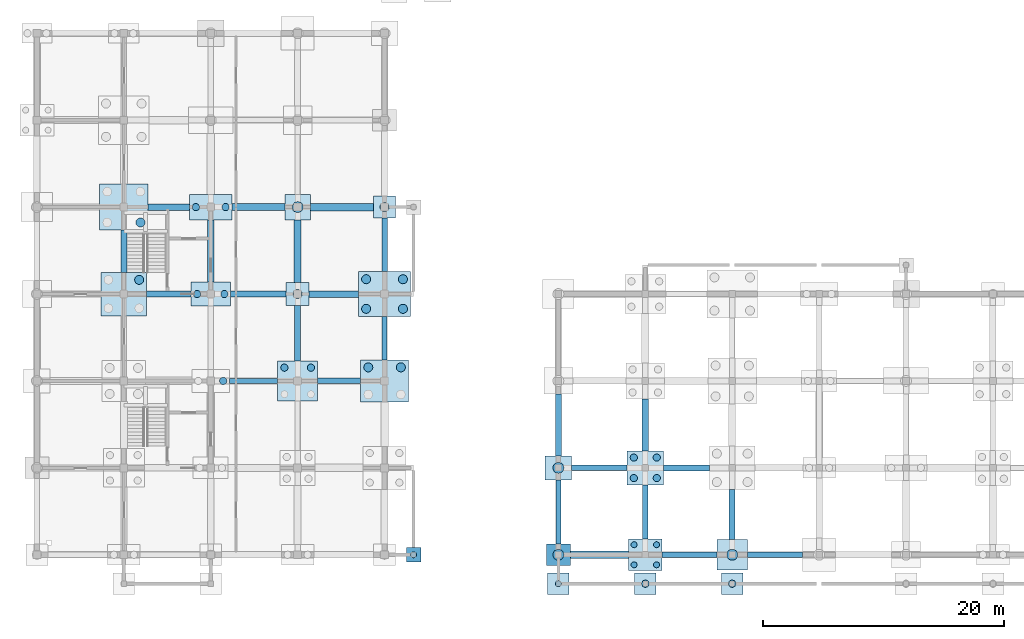
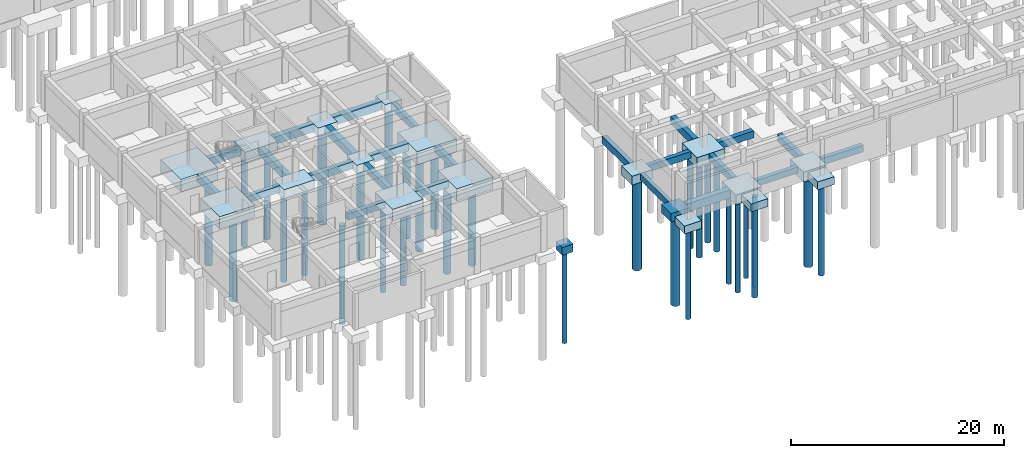
# One storey, part 2 of 38: 43 footings, 33 piles.
"""IFC4 building model written with IfcOpenShell, lengths in metres."""

from ifc_helpers import new_model, si_unit, direction, frame, origin, origin_2d, place, context, subcontext, project, spatial, polyline, rectangle, circle, outline, extrude, material, material_profile, profile_set, type_object, element, save


model = new_model("IFC4")

# Units and contexts
model_context = context("Model", 3, precision=1e-05, world=origin(), true_north=direction((0.0, 1.0)))
body_context = subcontext(model_context, "Body", "Model", "MODEL_VIEW")
ifc_project = project(units=[si_unit("LENGTHUNIT", "METRE"), si_unit("AREAUNIT", "SQUARE_METRE"), si_unit("VOLUMEUNIT", "CUBIC_METRE"), si_unit("PLANEANGLEUNIT", "RADIAN"), si_unit("MASSUNIT", "GRAM", prefix="KILO"), si_unit("THERMODYNAMICTEMPERATUREUNIT", "KELVIN"), si_unit("POWERUNIT", "WATT")], contexts=[model_context])

# Site, building, storey
site_placement = place(None, origin())
site = spatial("IfcSite", under=ifc_project, at=site_placement, CompositionType="ELEMENT")
building_placement = place(site_placement, origin())
building = spatial("IfcBuilding", under=site, at=building_placement, Name="Tavuni Mirador Residences", CompositionType="ELEMENT")
storey_placement = place(building_placement, frame((0.0, 0.0, -4.199951171875)))
storey = spatial("IfcBuildingStorey", under=building, at=storey_placement, Name="B1", CompositionType="ELEMENT", Elevation=-4.199951171875)

# Footings
ifc_material = material(Name="In-situ concrete C35/45", Category="concrete")
footing_type_1 = type_object("IfcFootingType", Name="FT-GB01", PredefinedType="FOOTING_BEAM", material=ifc_material)
footing_1_placement = place(storey_placement, frame((0.0, 0.0, -0.719970703125)))
element("IfcFooting", 1, at=footing_1_placement, inside=storey, type_object=footing_type_1, Name="GBX-BLK-A-02-02", PredefinedType="FOOTING_BEAM", context=body_context, shape_type="SweptSolid", body=[
    extrude(outline(polyline([(19.550048828125, 21.389892578125), (23.550048828125, 21.389892578125), (23.550048828125, 21.81005859375), (19.550048828125, 21.81005859375), (19.550048828125, 21.389892578125)])), origin(), (0.0, 0.0, 1.0), 0.719970703125),
])
footing_2_placement = place(storey_placement, frame((0.0, 0.0, -0.719970703125)))
element("IfcFooting", 2, at=footing_2_placement, inside=storey, type_object=footing_type_1, Name="GBY-BLK-A-04-02", PredefinedType="FOOTING_BEAM", context=body_context, shape_type="SweptSolid", body=[
    extrude(outline(polyline([(32.18994140625, 23.35009765625), (32.610107421875, 23.35009765625), (32.610107421875, 26.949951171875), (32.18994140625, 26.949951171875), (32.18994140625, 23.35009765625)])), origin(), (0.0, 0.0, 1.0), 0.719970703125),
])
footing_3_placement = place(storey_placement, frame((0.0, 0.0, -0.719970703125)))
element("IfcFooting", 3, at=footing_3_placement, inside=storey, type_object=footing_type_1, Name="GBY-PAV-SHOP-00-00", PredefinedType="FOOTING_BEAM", context=body_context, shape_type="SweptSolid", body=[
    extrude(outline(polyline([(46.590087890625, 8.10009765625), (47.010009765625, 8.10009765625), (47.010009765625, 13.39990234375), (46.590087890625, 13.39990234375), (46.590087890625, 8.10009765625)])), origin(), (0.0, 0.0, 1.0), 0.719970703125),
])
footing_4_placement = place(storey_placement, frame((0.0, 0.0, -0.719970703125)))
element("IfcFooting", 4, at=footing_4_placement, inside=storey, type_object=footing_type_1, Name="GBX-PAV-SHOP-01-00", PredefinedType="FOOTING_BEAM", context=body_context, shape_type="SweptSolid", body=[
    extrude(outline(polyline([(55.39990234375, 6.989990234375), (59.949951171875, 6.989990234375), (59.949951171875, 7.409912109375), (55.39990234375, 7.409912109375), (55.39990234375, 6.989990234375)])), origin(), (0.0, 0.0, 1.0), 0.719970703125),
])
footing_type_2 = type_object("IfcFootingType", Name="FT-GB02", PredefinedType="FOOTING_BEAM", material=ifc_material)
footing_5_placement = place(storey_placement, frame((0.0, 0.0, -0.760009765625)))
element("IfcFooting", 5, at=footing_5_placement, inside=storey, type_object=footing_type_2, Name="GBX-BLK-A-01-03", PredefinedType="FOOTING_BEAM", context=body_context, shape_type="SweptSolid", body=[
    extrude(outline(polyline([(12.699951171875, 28.570068359375), (16.35009765625, 28.570068359375), (16.35009765625, 29.030029296875), (12.699951171875, 29.030029296875), (12.699951171875, 28.570068359375)])), origin(), (0.0, 0.0, 1.0), 0.760009765625),
])
footing_6_placement = place(storey_placement, frame((0.0, 0.0, -0.760009765625)))
element("IfcFooting", 6, at=footing_6_placement, inside=storey, type_object=footing_type_2, Name="GBX-BLK-A-03-02", PredefinedType="FOOTING_BEAM", context=body_context, shape_type="SweptSolid", body=[
    extrude(outline(polyline([(26.85009765625, 21.3701171875), (30.425048828125, 21.3701171875), (30.425048828125, 21.830078125), (26.85009765625, 21.830078125), (26.85009765625, 21.3701171875)])), origin(), (0.0, 0.0, 1.0), 0.760009765625),
])
footing_7_placement = place(storey_placement, frame((0.0, 0.0, -0.760009765625)))
element("IfcFooting", 7, at=footing_7_placement, inside=storey, type_object=footing_type_2, Name="GBY-BLK-A-04-03", PredefinedType="FOOTING_BEAM", context=body_context, shape_type="SweptSolid", body=[
    extrude(outline(polyline([(32.169921875, 30.64990234375), (32.6298828125, 30.64990234375), (32.6298828125, 35.10009765625), (32.169921875, 35.10009765625), (32.169921875, 30.64990234375)])), origin(), (0.0, 0.0, 1.0), 0.760009765625),
])
footing_8_placement = place(storey_placement, frame((0.0, 0.0, -0.760009765625)))
element("IfcFooting", 8, at=footing_8_placement, inside=storey, type_object=footing_type_2, Name="GBX-PAV-SHOP-00-01", PredefinedType="FOOTING_BEAM", context=body_context, shape_type="SweptSolid", body=[
    extrude(outline(polyline([(47.89990234375, 14.169921875), (52.5, 14.169921875), (52.5, 14.6298828125), (47.89990234375, 14.6298828125), (47.89990234375, 14.169921875)])), origin(), (0.0, 0.0, 1.0), 0.760009765625),
])
footing_9_placement = place(storey_placement, frame((0.0, 0.0, -0.760009765625)))
element("IfcFooting", 9, at=footing_9_placement, inside=storey, type_object=footing_type_2, Name="GBY-PAV-SHOP-01-00", PredefinedType="FOOTING_BEAM", context=body_context, shape_type="SweptSolid", body=[
    extrude(outline(polyline([(53.77001953125, 8.5), (54.22998046875, 8.5), (54.22998046875, 13.0), (53.77001953125, 13.0), (53.77001953125, 8.5)])), origin(), (0.0, 0.0, 1.0), 0.760009765625),
])
footing_10_placement = place(storey_placement, frame((0.0, 0.0, -0.760009765625)))
element("IfcFooting", 10, at=footing_10_placement, inside=storey, type_object=footing_type_2, Name="GBX-PAV-SHOP-02-00", PredefinedType="FOOTING_BEAM", context=body_context, shape_type="SweptSolid", body=[
    extrude(outline(polyline([(62.449951171875, 6.969970703125), (67.02490234375, 6.969970703125), (67.02490234375, 7.429931640625), (62.449951171875, 7.429931640625), (62.449951171875, 6.969970703125)])), origin(), (0.0, 0.0, 1.0), 0.760009765625),
])
footing_type_3 = type_object("IfcFootingType", Name="FT-GB03", PredefinedType="FOOTING_BEAM", material=ifc_material)
footing_11_placement = place(storey_placement, frame((0.0, 0.0, -0.800048828125)))
element("IfcFooting", 11, at=footing_11_placement, inside=storey, type_object=footing_type_3, Name="GBY-BLK-A-01-03", PredefinedType="FOOTING_BEAM", context=body_context, shape_type="SweptSolid", body=[
    extrude(outline(polyline([(10.550048828125, 30.60009765625), (11.050048828125, 30.60009765625), (11.050048828125, 34.10009765625), (10.550048828125, 34.10009765625), (10.550048828125, 30.60009765625)])), origin(), (0.0, 0.0, 1.0), 0.800048828125),
])
footing_12_placement = place(storey_placement, frame((0.0, 0.0, -0.800048828125)))
element("IfcFooting", 12, at=footing_12_placement, inside=storey, type_object=footing_type_3, Name="GBX-BLK-A-02-03", PredefinedType="FOOTING_BEAM", context=body_context, shape_type="SweptSolid", body=[
    extrude(outline(polyline([(19.64990234375, 28.550048828125), (24.25, 28.550048828125), (24.25, 29.050048828125), (19.64990234375, 29.050048828125), (19.64990234375, 28.550048828125)])), origin(), (0.0, 0.0, 1.0), 0.800048828125),
])
footing_13_placement = place(storey_placement, frame((0.0, 0.0, -0.800048828125)))
element("IfcFooting", 13, at=footing_13_placement, inside=storey, type_object=footing_type_3, Name="GBY-BLK-A-03-02", PredefinedType="FOOTING_BEAM", context=body_context, shape_type="SweptSolid", body=[
    extrude(outline(polyline([(24.949951171875, 23.25), (25.449951171875, 23.25), (25.449951171875, 27.85009765625), (24.949951171875, 27.85009765625), (24.949951171875, 23.25)])), origin(), (0.0, 0.0, 1.0), 0.800048828125),
])
footing_14_placement = place(storey_placement, frame((0.0, 0.0, -0.800048828125)))
element("IfcFooting", 14, at=footing_14_placement, inside=storey, type_object=footing_type_3, Name="GBY-PAV-SHOP-00-01", PredefinedType="FOOTING_BEAM", context=body_context, shape_type="SweptSolid", body=[
    extrude(outline(polyline([(46.550048828125, 15.39990234375), (47.050048828125, 15.39990234375), (47.050048828125, 20.5), (46.550048828125, 20.5), (46.550048828125, 15.39990234375)])), origin(), (0.0, 0.0, 1.0), 0.800048828125),
])
footing_15_placement = place(storey_placement, frame((0.0, 0.0, -0.800048828125)))
element("IfcFooting", 15, at=footing_15_placement, inside=storey, type_object=footing_type_3, Name="GBX-PAV-SHOP-01-01", PredefinedType="FOOTING_BEAM", context=body_context, shape_type="SweptSolid", body=[
    extrude(outline(polyline([(55.5, 14.14990234375), (59.300048828125, 14.14990234375), (59.300048828125, 14.64990234375), (55.5, 14.64990234375), (55.5, 14.14990234375)])), origin(), (0.0, 0.0, 1.0), 0.800048828125),
])
footing_16_placement = place(storey_placement, frame((0.0, 0.0, -0.800048828125)))
element("IfcFooting", 16, at=footing_16_placement, inside=storey, type_object=footing_type_3, Name="GBY-PAV-SHOP-02-00", PredefinedType="FOOTING_BEAM", context=body_context, shape_type="SweptSolid", body=[
    extrude(outline(polyline([(60.949951171875, 8.449951171875), (61.449951171875, 8.449951171875), (61.449951171875, 12.60009765625), (60.949951171875, 12.60009765625), (60.949951171875, 8.449951171875)])), origin(), (0.0, 0.0, 1.0), 0.800048828125),
])
footing_type_4 = type_object("IfcFootingType", Name="FT-GB04", PredefinedType="FOOTING_BEAM", material=ifc_material)
footing_17_placement = place(storey_placement, frame((0.0, 0.0, -0.840087890625)))
element("IfcFooting", 17, at=footing_17_placement, inside=storey, type_object=footing_type_4, Name="GBX-BLK-A-01-04", PredefinedType="FOOTING_BEAM", context=body_context, shape_type="SweptSolid", body=[
    extrude(outline(polyline([(12.800048828125, 35.72998046875), (16.25, 35.72998046875), (16.25, 36.27001953125), (12.800048828125, 36.27001953125), (12.800048828125, 35.72998046875)])), origin(), (0.0, 0.0, 1.0), 0.840087890625),
])
footing_18_placement = place(storey_placement, frame((0.0, 0.0, -0.840087890625)))
element("IfcFooting", 18, at=footing_18_placement, inside=storey, type_object=footing_type_4, Name="GBY-BLK-A-02-03", PredefinedType="FOOTING_BEAM", context=body_context, shape_type="SweptSolid", body=[
    extrude(outline(polyline([(17.72998046875, 29.800048828125), (18.27001953125, 29.800048828125), (18.27001953125, 34.949951171875), (17.72998046875, 34.949951171875), (17.72998046875, 29.800048828125)])), origin(), (0.0, 0.0, 1.0), 0.840087890625),
])
footing_19_placement = place(storey_placement, frame((0.0, 0.0, -0.840087890625)))
element("IfcFooting", 19, at=footing_19_placement, inside=storey, type_object=footing_type_4, Name="GBX-BLK-A-03-03", PredefinedType="FOOTING_BEAM", context=body_context, shape_type="SweptSolid", body=[
    extrude(outline(polyline([(26.14990234375, 28.530029296875), (30.25, 28.530029296875), (30.25, 29.070068359375), (26.14990234375, 29.070068359375), (26.14990234375, 28.530029296875)])), origin(), (0.0, 0.0, 1.0), 0.840087890625),
])
footing_20_placement = place(storey_placement, frame((0.0, 0.0, -0.840087890625)))
element("IfcFooting", 20, at=footing_20_placement, inside=storey, type_object=footing_type_4, Name="GBY-PAV-SHOP-01-01", PredefinedType="FOOTING_BEAM", context=body_context, shape_type="SweptSolid", body=[
    extrude(outline(polyline([(53.72998046875, 15.800048828125), (54.27001953125, 15.800048828125), (54.27001953125, 20.10009765625), (53.72998046875, 20.10009765625), (53.72998046875, 15.800048828125)])), origin(), (0.0, 0.0, 1.0), 0.840087890625),
])
footing_type_5 = type_object("IfcFootingType", Name="FT-GB05", PredefinedType="FOOTING_BEAM", material=ifc_material)
footing_21_placement = place(storey_placement, frame((0.0, 0.0, -0.880126953125)))
element("IfcFooting", 21, at=footing_21_placement, inside=storey, type_object=footing_type_5, Name="GBX-BLK-A-02-04", PredefinedType="FOOTING_BEAM", context=body_context, shape_type="SweptSolid", body=[
    extrude(outline(polyline([(19.75, 35.7099609375), (24.14990234375, 35.7099609375), (24.14990234375, 36.2900390625), (19.75, 36.2900390625), (19.75, 35.7099609375)])), origin(), (0.0, 0.0, 1.0), 0.880126953125),
])
footing_22_placement = place(storey_placement, frame((0.0, 0.0, -0.880126953125)))
element("IfcFooting", 22, at=footing_22_placement, inside=storey, type_object=footing_type_5, Name="GBY-BLK-A-03-03", PredefinedType="FOOTING_BEAM", context=body_context, shape_type="SweptSolid", body=[
    extrude(outline(polyline([(24.909912109375, 29.75), (25.489990234375, 29.75), (25.489990234375, 34.949951171875), (24.909912109375, 34.949951171875), (24.909912109375, 29.75)])), origin(), (0.0, 0.0, 1.0), 0.880126953125),
])
footing_type_6 = type_object("IfcFootingType", Name="FT-GB06", PredefinedType="FOOTING_BEAM", material=ifc_material)
footing_23_placement = place(storey_placement, frame((0.0, 0.0, -0.920166015625)))
element("IfcFooting", 23, at=footing_23_placement, inside=storey, type_object=footing_type_6, Name="GBX-BLK-A-03-04", PredefinedType="FOOTING_BEAM", context=body_context, shape_type="SweptSolid", body=[
    extrude(outline(polyline([(26.25, 35.68994140625), (31.5, 35.68994140625), (31.5, 36.31005859375), (26.25, 36.31005859375), (26.25, 35.68994140625)])), origin(), (0.0, 0.0, 1.0), 0.920166015625),
])
footing_24_placement = place(storey_placement, frame((0.0, 0.0, -0.920166015625)))
element("IfcFooting", 24, at=footing_24_placement, inside=storey, type_object=footing_type_6, Name="GBX-PAV-SHOP-00-00", PredefinedType="FOOTING_BEAM", context=body_context, shape_type="SweptSolid", body=[
    extrude(outline(polyline([(47.800048828125, 6.889892578125), (52.60009765625, 6.889892578125), (52.60009765625, 7.510009765625), (47.800048828125, 7.510009765625), (47.800048828125, 6.889892578125)])), origin(), (0.0, 0.0, 1.0), 0.920166015625),
])
footing_type_7 = type_object("IfcFootingType", Name="FT-PC01", PredefinedType="PILE_CAP", material=ifc_material)
footing_25_placement = place(storey_placement, frame((32.39990234375, 36.0, -0.89990234375), z_axis=(0.0, 0.0, 1.0), x_axis=(1.0, 0.0, 0.0)))
element("IfcFooting", 25, at=footing_25_placement, inside=storey, type_object=footing_type_7, Name="CAP-BLK-A-04-04", PredefinedType="PILE_CAP", context=body_context, shape_type="SweptSolid", body=[
    extrude(rectangle(XDim=1.800048828125, YDim=1.800048828125, at=origin_2d()), origin(), (0.0, 0.0, 1.0), 0.89990234375),
])
footing_26_placement = place(storey_placement, frame((34.800048828125, 7.199951171875, -0.89990234375), z_axis=(0.0, 0.0, 1.0), x_axis=(1.0, 0.0, 0.0)))
element("IfcFooting", 26, at=footing_26_placement, inside=storey, type_object=footing_type_7, Name="CAP-APR-BLKA-E1-1", PredefinedType="PILE_CAP", context=body_context, shape_type="SweptSolid", body=[
    extrude(rectangle(XDim=1.199951171875, YDim=1.199951171875, at=origin_2d()), origin(), (0.0, 0.0, 1.0), 0.89990234375),
])
for number, where, z_axis, x_axis, name in (
    (27, (46.800048828125, 4.800048828125, -0.89990234375), (0.0, 0.0, 1.0), (1.0, 0.0, 0.0), "CAP-APR-SHOP-S-0"),
    (28, (54.0, 4.800048828125, -0.89990234375), (0.0, 0.0, 1.0), (1.0, 0.0, 0.0), "CAP-APR-SHOP-S-S1"),
    (29, (61.199951171875, 4.800048828125, -0.89990234375), (0.0, 0.0, 1.0), (1.0, 0.0, 0.0), "CAP-APR-SHOP-S-S2"),
):
    element("IfcFooting", number, at=place(storey_placement, frame(where, z_axis=z_axis, x_axis=x_axis)), inside=storey, type_object=footing_type_7, Name=name, PredefinedType="PILE_CAP", context=body_context, shape_type="SweptSolid", body=[
        extrude(rectangle(XDim=1.800048828125, YDim=1.800048828125, at=origin_2d()), origin(), (0.0, 0.0, 1.0), 0.89990234375),
    ])
footing_type_8 = type_object("IfcFootingType", Name="FT-PC02", PredefinedType="PILE_CAP", material=ifc_material)
footing_27_placement = place(storey_placement, frame((46.800048828125, 7.199951171875, -0.9501953125), z_axis=(0.0, 0.0, 1.0), x_axis=(1.0, 0.0, 0.0)))
element("IfcFooting", 30, at=footing_27_placement, inside=storey, type_object=footing_type_8, Name="CAP-PAV-SHOP-00-00", PredefinedType="PILE_CAP", context=body_context, shape_type="SweptSolid", body=[
    extrude(rectangle(XDim=2.0, YDim=1.800048828125, at=origin_2d()), origin(), (0.0, 0.0, 1.0), 0.949951171875),
])
footing_type_9 = type_object("IfcFootingType", Name="FT-PC03", PredefinedType="PILE_CAP", material=ifc_material)
footing_28_placement = place(storey_placement, frame((46.800048828125, 14.39990234375, -1.0), z_axis=(0.0, 0.0, 1.0), x_axis=(1.0, 0.0, 0.0)))
element("IfcFooting", 31, at=footing_28_placement, inside=storey, type_object=footing_type_9, Name="CAP-PAV-SHOP-00-01", PredefinedType="PILE_CAP", context=body_context, shape_type="SweptSolid", body=[
    extrude(rectangle(XDim=2.199951171875, YDim=2.0, at=origin_2d()), origin(), (0.0, 0.0, 1.0), 1.0),
])
footing_type_10 = type_object("IfcFootingType", Name="FT-PC06", PredefinedType="PILE_CAP", material=ifc_material)
footing_29_placement = place(storey_placement, frame((54.0, 7.199951171875, -1.14990234375), z_axis=(0.0, 0.0, 1.0), x_axis=(1.0, 0.0, 0.0)))
element("IfcFooting", 32, at=footing_29_placement, inside=storey, type_object=footing_type_10, Name="CAP-PAV-SHOP-01-00", PredefinedType="PILE_CAP", context=body_context, shape_type="SweptSolid", body=[
    extrude(rectangle(XDim=2.800048828125, YDim=2.60009765625, at=origin_2d()), origin(), (0.0, 0.0, 1.0), 1.14990234375),
])
footing_type_11 = type_object("IfcFootingType", Name="FT-PC07", PredefinedType="PILE_CAP", material=ifc_material)
footing_30_placement = place(storey_placement, frame((54.0, 14.39990234375, -1.2001953125), z_axis=(0.0, 0.0, 1.0), x_axis=(1.0, 0.0, 0.0)))
element("IfcFooting", 33, at=footing_30_placement, inside=storey, type_object=footing_type_11, Name="CAP-PAV-SHOP-01-01", PredefinedType="PILE_CAP", context=body_context, shape_type="SweptSolid", body=[
    extrude(rectangle(XDim=3.0, YDim=2.800048828125, at=origin_2d()), origin(), (0.0, 0.0, 1.0), 1.199951171875),
])
footing_type_12 = type_object("IfcFootingType", Name="FT-PC11", PredefinedType="PILE_CAP", material=ifc_material)
footing_31_placement = place(storey_placement, frame((10.800048828125, 28.800048828125, -1.39990234375), z_axis=(0.0, 0.0, 1.0), x_axis=(1.0, 0.0, 0.0)))
element("IfcFooting", 34, at=footing_31_placement, inside=storey, type_object=footing_type_12, Name="CAP-BLK-A-01-03", PredefinedType="PILE_CAP", context=body_context, shape_type="SweptSolid", body=[
    extrude(rectangle(XDim=3.800048828125, YDim=3.60009765625, at=origin_2d()), origin(), (0.0, 0.0, 1.0), 1.39990234375),
])
footing_type_13 = type_object("IfcFootingType", Name="FT-PC12", PredefinedType="PILE_CAP", material=ifc_material)
footing_32_placement = place(storey_placement, frame((10.800048828125, 36.0, -1.4501953125), z_axis=(0.0, 0.0, 1.0), x_axis=(1.0, 0.0, 0.0)))
element("IfcFooting", 35, at=footing_32_placement, inside=storey, type_object=footing_type_13, Name="CAP-BLK-A-01-04", PredefinedType="PILE_CAP", context=body_context, shape_type="SweptSolid", body=[
    extrude(rectangle(XDim=4.0, YDim=3.800048828125, at=origin_2d()), origin(), (0.0, 0.0, 1.0), 1.449951171875),
])
footing_type_14 = type_object("IfcFootingType", Name="FT-PC18", PredefinedType="PILE_CAP", material=ifc_material)
footing_33_placement = place(storey_placement, frame((18.0, 28.800048828125, -1.14990234375), z_axis=(0.0, 0.0, 1.0), x_axis=(1.0, 0.0, 0.0)))
element("IfcFooting", 36, at=footing_33_placement, inside=storey, type_object=footing_type_14, Name="CAP-BLK-A-02-03", PredefinedType="PILE_CAP", context=body_context, shape_type="SweptSolid", body=[
    extrude(rectangle(XDim=3.300048828125, YDim=2.0, at=origin_2d()), origin(), (0.0, 0.0, 1.0), 1.14990234375),
])
footing_type_15 = type_object("IfcFootingType", Name="FT-PC19", PredefinedType="PILE_CAP", material=ifc_material)
footing_34_placement = place(storey_placement, frame((18.0, 36.0, -1.2001953125), z_axis=(0.0, 0.0, 1.0), x_axis=(1.0, 0.0, 0.0)))
element("IfcFooting", 37, at=footing_34_placement, inside=storey, type_object=footing_type_15, Name="CAP-BLK-A-02-04", PredefinedType="PILE_CAP", context=body_context, shape_type="SweptSolid", body=[
    extrude(rectangle(XDim=3.5, YDim=2.10009765625, at=origin_2d()), origin(), (0.0, 0.0, 1.0), 1.199951171875),
])
footing_type_16 = type_object("IfcFootingType", Name="FT-PC22", PredefinedType="PILE_CAP", material=ifc_material)
footing_35_placement = place(storey_placement, frame((61.199951171875, 7.199951171875, -1.14990234375), z_axis=(0.0, 0.0, 1.0), x_axis=(1.0, 0.0, 0.0)))
element("IfcFooting", 38, at=footing_35_placement, inside=storey, type_object=footing_type_16, Name="CAP-PAV-SHOP-02-00", PredefinedType="PILE_CAP", context=body_context, shape_type="SweptSolid", body=[
    extrude(rectangle(XDim=2.5, YDim=2.5, at=origin_2d()), origin(), (0.0, 0.0, 1.0), 1.14990234375),
])
footing_type_17 = type_object("IfcFootingType", Name="FT-PC24", PredefinedType="PILE_CAP", material=ifc_material)
footing_36_placement = place(storey_placement, frame((25.199951171875, 21.60009765625, -1.35009765625), z_axis=(0.0, 0.0, 1.0), x_axis=(1.0, 0.0, 0.0)))
element("IfcFooting", 39, at=footing_36_placement, inside=storey, type_object=footing_type_17, Name="CAP-BLK-A-03-02", PredefinedType="PILE_CAP", context=body_context, shape_type="SweptSolid", body=[
    extrude(rectangle(XDim=3.300048828125, YDim=3.300048828125, at=origin_2d()), origin(), (0.0, 0.0, 1.0), 1.35009765625),
])
footing_type_18 = type_object("IfcFootingType", Name="FT-PC25", PredefinedType="PILE_CAP", material=ifc_material)
footing_37_placement = place(storey_placement, frame((25.199951171875, 28.800048828125, -0.919921875), z_axis=(0.0, 0.0, 1.0), x_axis=(1.0, 0.0, 0.0)))
element("IfcFooting", 40, at=footing_37_placement, inside=storey, type_object=footing_type_18, Name="CAP-BLK-A-03-03", PredefinedType="PILE_CAP", context=body_context, shape_type="SweptSolid", body=[
    extrude(rectangle(XDim=1.89990234375, YDim=1.89990234375, at=origin_2d()), origin(), (0.0, 0.0, 1.0), 0.919921875),
])
footing_type_19 = type_object("IfcFootingType", Name="FT-PC26", PredefinedType="PILE_CAP", material=ifc_material)
footing_38_placement = place(storey_placement, frame((25.199951171875, 36.0, -0.97998046875), z_axis=(0.0, 0.0, 1.0), x_axis=(1.0, 0.0, 0.0)))
element("IfcFooting", 41, at=footing_38_placement, inside=storey, type_object=footing_type_19, Name="CAP-BLK-A-03-04", PredefinedType="PILE_CAP", context=body_context, shape_type="SweptSolid", body=[
    extrude(rectangle(XDim=2.10009765625, YDim=2.10009765625, at=origin_2d()), origin(), (0.0, 0.0, 1.0), 0.97998046875),
])
footing_type_20 = type_object("IfcFootingType", Name="FT-PC31", PredefinedType="PILE_CAP", material=ifc_material)
footing_39_placement = place(storey_placement, frame((32.39990234375, 21.60009765625, -1.419921875), z_axis=(0.0, 0.0, 1.0), x_axis=(1.0, 0.0, 0.0)))
element("IfcFooting", 42, at=footing_39_placement, inside=storey, type_object=footing_type_20, Name="CAP-BLK-A-04-02", PredefinedType="PILE_CAP", context=body_context, shape_type="SweptSolid", body=[
    extrude(rectangle(XDim=3.949951171875, YDim=3.5, at=origin_2d()), origin(), (0.0, 0.0, 1.0), 1.419921875),
])
footing_type_21 = type_object("IfcFootingType", Name="FT-PC32", PredefinedType="PILE_CAP", material=ifc_material)
footing_40_placement = place(storey_placement, frame((32.39990234375, 28.800048828125, -1.47998046875), z_axis=(0.0, 0.0, 1.0), x_axis=(1.0, 0.0, 0.0)))
element("IfcFooting", 43, at=footing_40_placement, inside=storey, type_object=footing_type_21, Name="CAP-BLK-A-04-03", PredefinedType="PILE_CAP", context=body_context, shape_type="SweptSolid", body=[
    extrude(rectangle(XDim=4.300048828125, YDim=3.699951171875, at=origin_2d()), origin(), (0.0, 0.0, 1.0), 1.47998046875),
])

# Piles
ifc_material_profile_1 = material_profile(ifc_material, circle(Radius=0.25, at=origin_2d()), Name="PILE D500", Category="concrete")
ifc_profile_set_1 = profile_set([ifc_material_profile_1], Name="In-situ concrete C35/45")
pile_type_1 = type_object("IfcPileType", Name="PT-D500", PredefinedType="BORED", material=ifc_profile_set_1)
for number, where, z_axis, x_axis, name in (
    (44, (53.070068359375, 6.3701171875, -1.150146484375), (0.0, 0.0, -1.0), (1.0, 0.0, 0.0), "PIL-PAV-SHOP-01-00-1"),
    (45, (54.929931640625, 6.3701171875, -1.150146484375), (0.0, 0.0, -1.0), (1.0, 0.0, 0.0), "PIL-PAV-SHOP-01-00-2"),
    (46, (53.070068359375, 8.030029296875, -1.150146484375), (0.0, 0.0, -1.0), (1.0, 0.0, 0.0), "PIL-PAV-SHOP-01-00-3"),
    (47, (54.929931640625, 8.030029296875, -1.150146484375), (0.0, 0.0, -1.0), (1.0, 0.0, 0.0), "PIL-PAV-SHOP-01-00-4"),
):
    element("IfcPile", number, at=place(storey_placement, frame(where, z_axis=z_axis, x_axis=x_axis)), inside=storey, type_object=pile_type_1, Name=name, PredefinedType="BORED", context=body_context, shape_type="SweptSolid", body=[
        extrude(circle(Radius=0.25, at=origin_2d()), origin(), (0.0, 0.0, 1.0), 10.35009765625),
    ])
for number, where, z_axis, x_axis, name in (
    (48, (34.800048828125, 7.199951171875, -0.800048828125), (0.0, 0.0, -1.0), (1.0, 0.0, 0.0), "PIL-APR-BLKA-E1-1"),
    (49, (46.800048828125, 4.800048828125, -0.800048828125), (0.0, 0.0, -1.0), (1.0, 0.0, 0.0), "PIL-APR-SHOP-S-0"),
):
    element("IfcPile", number, at=place(storey_placement, frame(where, z_axis=z_axis, x_axis=x_axis)), inside=storey, type_object=pile_type_1, Name=name, PredefinedType="BORED", context=body_context, shape_type="SweptSolid", body=[
        extrude(circle(Radius=0.25, at=origin_2d()), origin(), (0.0, 0.0, 1.0), 10.60009765625),
    ])
ifc_material_profile_2 = material_profile(ifc_material, circle(Radius=0.300048828125, at=origin_2d()), Name="PILE D600", Category="concrete")
ifc_profile_set_2 = profile_set([ifc_material_profile_2], Name="In-situ concrete C35/45")
pile_type_2 = type_object("IfcPileType", Name="PT-D600", PredefinedType="BORED", material=ifc_profile_set_2)
pile_1_placement = place(storey_placement, frame((19.030029296875, 21.60009765625, -1.10009765625), z_axis=(0.0, 0.0, -1.0), x_axis=(1.0, 0.0, 0.0)))
element("IfcPile", 50, at=pile_1_placement, inside=storey, type_object=pile_type_2, Name="PIL-BLK-A-02-02-2", PredefinedType="BORED", context=body_context, shape_type="SweptSolid", body=[
    extrude(circle(Radius=0.300048828125, at=origin_2d()), origin(), (0.0, 0.0, 1.0), 11.300048828125),
])
for number, where, z_axis, x_axis, name in (
    (51, (16.8701171875, 28.800048828125, -1.150146484375), (0.0, 0.0, -1.0), (1.0, 0.0, 0.0), "PIL-BLK-A-02-03-1"),
    (52, (19.1298828125, 28.800048828125, -1.150146484375), (0.0, 0.0, -1.0), (1.0, 0.0, 0.0), "PIL-BLK-A-02-03-2"),
):
    element("IfcPile", number, at=place(storey_placement, frame(where, z_axis=z_axis, x_axis=x_axis)), inside=storey, type_object=pile_type_2, Name=name, PredefinedType="BORED", context=body_context, shape_type="SweptSolid", body=[
        extrude(circle(Radius=0.300048828125, at=origin_2d()), origin(), (0.0, 0.0, 1.0), 10.050048828125),
    ])
for number, where, z_axis, x_axis, name in (
    (53, (16.77001953125, 36.0, -1.199951171875), (0.0, 0.0, -1.0), (1.0, 0.0, 0.0), "PIL-BLK-A-02-04-1"),
    (54, (19.22998046875, 36.0, -1.199951171875), (0.0, 0.0, -1.0), (1.0, 0.0, 0.0), "PIL-BLK-A-02-04-2"),
):
    element("IfcPile", number, at=place(storey_placement, frame(where, z_axis=z_axis, x_axis=x_axis)), inside=storey, type_object=pile_type_2, Name=name, PredefinedType="BORED", context=body_context, shape_type="SweptSolid", body=[
        extrude(circle(Radius=0.300048828125, at=origin_2d()), origin(), (0.0, 0.0, 1.0), 10.300048828125),
    ])
for number, where, z_axis, x_axis, name in (
    (55, (24.10009765625, 22.699951171875, -1.35009765625), (0.0, 0.0, -1.0), (1.0, 0.0, 0.0), "PIL-BLK-A-03-02-3"),
    (56, (26.300048828125, 22.699951171875, -1.35009765625), (0.0, 0.0, -1.0), (1.0, 0.0, 0.0), "PIL-BLK-A-03-02-4"),
):
    element("IfcPile", number, at=place(storey_placement, frame(where, z_axis=z_axis, x_axis=x_axis)), inside=storey, type_object=pile_type_2, Name=name, PredefinedType="BORED", context=body_context, shape_type="SweptSolid", body=[
        extrude(circle(Radius=0.300048828125, at=origin_2d()), origin(), (0.0, 0.0, 1.0), 9.85009765625),
    ])
for number, where, z_axis, x_axis, name in (
    (57, (53.050048828125, 13.550048828125, -1.199951171875), (0.0, 0.0, -1.0), (1.0, 0.0, 0.0), "PIL-PAV-SHOP-01-01-1"),
    (58, (54.949951171875, 13.550048828125, -1.199951171875), (0.0, 0.0, -1.0), (1.0, 0.0, 0.0), "PIL-PAV-SHOP-01-01-2"),
    (59, (53.050048828125, 15.25, -1.199951171875), (0.0, 0.0, -1.0), (1.0, 0.0, 0.0), "PIL-PAV-SHOP-01-01-3"),
    (60, (54.949951171875, 15.25, -1.199951171875), (0.0, 0.0, -1.0), (1.0, 0.0, 0.0), "PIL-PAV-SHOP-01-01-4"),
    (61, (54.0, 4.800048828125, -0.800048828125), (0.0, 0.0, -1.0), (1.0, 0.0, 0.0), "PIL-APR-SHOP-S-S1"),
    (62, (61.199951171875, 4.800048828125, -0.800048828125), (0.0, 0.0, -1.0), (1.0, 0.0, 0.0), "PIL-APR-SHOP-S-S2"),
):
    element("IfcPile", number, at=place(storey_placement, frame(where, z_axis=z_axis, x_axis=x_axis)), inside=storey, type_object=pile_type_2, Name=name, PredefinedType="BORED", context=body_context, shape_type="SweptSolid", body=[
        extrude(circle(Radius=0.300048828125, at=origin_2d()), origin(), (0.0, 0.0, 1.0), 10.60009765625),
    ])
ifc_material_profile_3 = material_profile(ifc_material, circle(Radius=0.375, at=origin_2d()), Name="PILE D750", Category="concrete")
ifc_profile_set_3 = profile_set([ifc_material_profile_3], Name="In-situ concrete C35/45")
pile_type_3 = type_object("IfcPileType", Name="PT-D750", PredefinedType="BORED", material=ifc_profile_set_3)
pile_2_placement = place(storey_placement, frame((12.074951171875, 29.97509765625, -1.400146484375), z_axis=(0.0, 0.0, -1.0), x_axis=(1.0, 0.0, 0.0)))
element("IfcPile", 63, at=pile_2_placement, inside=storey, type_object=pile_type_3, Name="PIL-BLK-A-01-03-4", PredefinedType="BORED", context=body_context, shape_type="SweptSolid", body=[
    extrude(circle(Radius=0.375, at=origin_2d()), origin(), (0.0, 0.0, 1.0), 11.0),
])
pile_3_placement = place(storey_placement, frame((12.175048828125, 34.72509765625, -1.449951171875), z_axis=(0.0, 0.0, -1.0), x_axis=(1.0, 0.0, 0.0)))
element("IfcPile", 64, at=pile_3_placement, inside=storey, type_object=pile_type_3, Name="PIL-BLK-A-01-04-2", PredefinedType="BORED", context=body_context, shape_type="SweptSolid", body=[
    extrude(circle(Radius=0.375, at=origin_2d()), origin(), (0.0, 0.0, 1.0), 9.75),
])
pile_4_placement = place(storey_placement, frame((25.199951171875, 28.800048828125, -0.920166015625), z_axis=(0.0, 0.0, -1.0), x_axis=(1.0, 0.0, 0.0)))
element("IfcPile", 65, at=pile_4_placement, inside=storey, type_object=pile_type_3, Name="PIL-BLK-A-03-03-1", PredefinedType="BORED", context=body_context, shape_type="SweptSolid", body=[
    extrude(circle(Radius=0.375, at=origin_2d()), origin(), (0.0, 0.0, 1.0), 10.580078125),
])
for number, where, z_axis, x_axis, name in (
    (66, (31.050048828125, 22.72509765625, -1.420166015625), (0.0, 0.0, -1.0), (1.0, 0.0, 0.0), "PIL-BLK-A-04-02-3"),
    (67, (33.75, 22.72509765625, -1.420166015625), (0.0, 0.0, -1.0), (1.0, 0.0, 0.0), "PIL-BLK-A-04-02-4"),
):
    element("IfcPile", number, at=place(storey_placement, frame(where, z_axis=z_axis, x_axis=x_axis)), inside=storey, type_object=pile_type_3, Name=name, PredefinedType="BORED", context=body_context, shape_type="SweptSolid", body=[
        extrude(circle(Radius=0.375, at=origin_2d()), origin(), (0.0, 0.0, 1.0), 10.080078125),
    ])
for number, where, z_axis, x_axis, name in (
    (68, (30.875, 27.574951171875, -1.47998046875), (0.0, 0.0, -1.0), (1.0, 0.0, 0.0), "PIL-BLK-A-04-03-1"),
    (69, (33.925048828125, 27.574951171875, -1.47998046875), (0.0, 0.0, -1.0), (1.0, 0.0, 0.0), "PIL-BLK-A-04-03-2"),
    (70, (30.875, 30.02490234375, -1.47998046875), (0.0, 0.0, -1.0), (1.0, 0.0, 0.0), "PIL-BLK-A-04-03-3"),
    (71, (33.925048828125, 30.02490234375, -1.47998046875), (0.0, 0.0, -1.0), (1.0, 0.0, 0.0), "PIL-BLK-A-04-03-4"),
):
    element("IfcPile", number, at=place(storey_placement, frame(where, z_axis=z_axis, x_axis=x_axis)), inside=storey, type_object=pile_type_3, Name=name, PredefinedType="BORED", context=body_context, shape_type="SweptSolid", body=[
        extrude(circle(Radius=0.375, at=origin_2d()), origin(), (0.0, 0.0, 1.0), 10.320068359375),
    ])
pile_5_placement = place(storey_placement, frame((32.39990234375, 36.0, -0.900146484375), z_axis=(0.0, 0.0, -1.0), x_axis=(1.0, 0.0, 0.0)))
element("IfcPile", 72, at=pile_5_placement, inside=storey, type_object=pile_type_3, Name="PIL-BLK-A-04-04-1", PredefinedType="BORED", context=body_context, shape_type="SweptSolid", body=[
    extrude(circle(Radius=0.375, at=origin_2d()), origin(), (0.0, 0.0, 1.0), 11.199951171875),
])
ifc_material_profile_4 = material_profile(ifc_material, circle(Radius=0.449951171875, at=origin_2d()), Name="PILE D900", Category="concrete")
ifc_profile_set_4 = profile_set([ifc_material_profile_4], Name="In-situ concrete C35/45")
pile_type_4 = type_object("IfcPileType", Name="PT-D900", PredefinedType="BORED", material=ifc_profile_set_4)
pile_6_placement = place(storey_placement, frame((25.199951171875, 36.0, -0.97998046875), z_axis=(0.0, 0.0, -1.0), x_axis=(1.0, 0.0, 0.0)))
element("IfcPile", 73, at=pile_6_placement, inside=storey, type_object=pile_type_4, Name="PIL-BLK-A-03-04-1", PredefinedType="BORED", context=body_context, shape_type="SweptSolid", body=[
    extrude(circle(Radius=0.449951171875, at=origin_2d()), origin(), (0.0, 0.0, 1.0), 10.820068359375),
])
pile_7_placement = place(storey_placement, frame((46.800048828125, 7.199951171875, -0.949951171875), z_axis=(0.0, 0.0, -1.0), x_axis=(1.0, 0.0, 0.0)))
element("IfcPile", 74, at=pile_7_placement, inside=storey, type_object=pile_type_4, Name="PIL-PAV-SHOP-00-00-1", PredefinedType="BORED", context=body_context, shape_type="SweptSolid", body=[
    extrude(circle(Radius=0.449951171875, at=origin_2d()), origin(), (0.0, 0.0, 1.0), 10.25),
])
pile_8_placement = place(storey_placement, frame((46.800048828125, 14.39990234375, -1.0), z_axis=(0.0, 0.0, -1.0), x_axis=(1.0, 0.0, 0.0)))
element("IfcPile", 75, at=pile_8_placement, inside=storey, type_object=pile_type_4, Name="PIL-PAV-SHOP-00-01-1", PredefinedType="BORED", context=body_context, shape_type="SweptSolid", body=[
    extrude(circle(Radius=0.449951171875, at=origin_2d()), origin(), (0.0, 0.0, 1.0), 10.5),
])
pile_9_placement = place(storey_placement, frame((61.199951171875, 7.199951171875, -1.150146484375), z_axis=(0.0, 0.0, -1.0), x_axis=(1.0, 0.0, 0.0)))
element("IfcPile", 76, at=pile_9_placement, inside=storey, type_object=pile_type_4, Name="PIL-PAV-SHOP-02-00-1", PredefinedType="BORED", context=body_context, shape_type="SweptSolid", body=[
    extrude(circle(Radius=0.449951171875, at=origin_2d()), origin(), (0.0, 0.0, 1.0), 10.64990234375),
])

save(model, "model.ifc")
